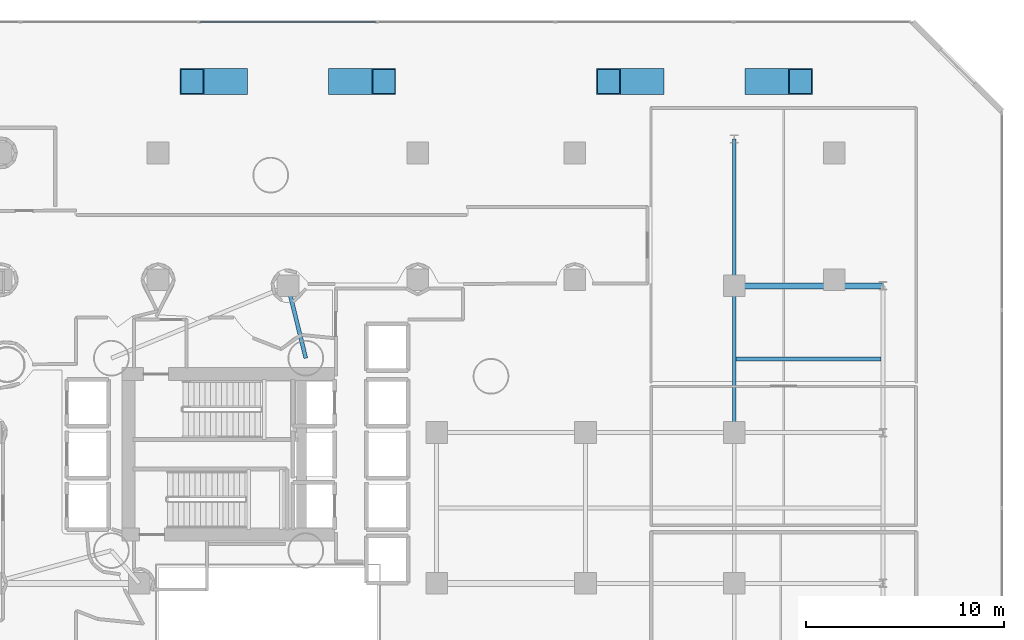
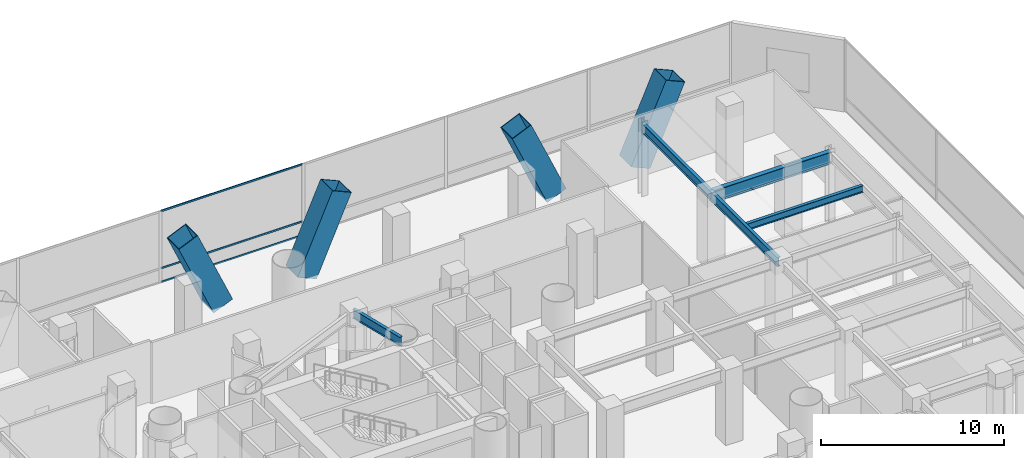
# One storey, part 22 of 42: 7 members, 5 beams, 1 element without a shape of its own.
"""IFC4 building model written with IfcOpenShell, lengths in metres."""

from ifc_helpers import new_model, si_unit, direction, frame, origin, origin_2d, place, context, subcontext, project, spatial, hollow_rectangle, i_section, extrude, material, layer, layer_set, material_profile, profile_set, type_object, element, aggregate, save


model = new_model("IFC4")

# Units and contexts
model_context = context("Model", 3, precision=1e-05, world=origin(), true_north=direction((0.0, 1.0)))
body_context = subcontext(model_context, "Body", "Model", "MODEL_VIEW")
ifc_project = project(units=[si_unit("LENGTHUNIT", "METRE"), si_unit("AREAUNIT", "SQUARE_METRE"), si_unit("VOLUMEUNIT", "CUBIC_METRE"), si_unit("PLANEANGLEUNIT", "RADIAN"), si_unit("MASSUNIT", "GRAM", prefix="KILO")], contexts=[model_context])

# Site, building, storey
site_placement = place(None, origin())
site = spatial("IfcSite", under=ifc_project, at=site_placement, CompositionType="ELEMENT")
building_placement = place(site_placement, origin())
building = spatial("IfcBuilding", under=site, at=building_placement, Name="Qianvela Tower", CompositionType="ELEMENT")
storey_placement = place(building_placement, frame((0.0, 0.0, 6.0)))
storey = spatial("IfcBuildingStorey", under=building, at=storey_placement, Name="L01", CompositionType="ELEMENT", Elevation=6.0)

# Beams
ifc_material_1 = material(Name="Steel Q355B", Category="steel")
ifc_material_profile_1 = material_profile(ifc_material_1, i_section(OverallWidth=0.199951171875, OverallDepth=0.449951171875, WebThickness=0.009033203125, FlangeThickness=0.013916015625, at=origin_2d()), Name="HN450x200x9x14")
ifc_profile_set_1 = profile_set([ifc_material_profile_1], Name="Steel Q355B")
beam_type_1 = type_object("IfcBeamType", Name="BM-HN450-JOIST", PredefinedType="JOIST", material=ifc_profile_set_1)
beam_1_placement = place(storey_placement, frame((60.095947265625, 33.5, 4.552978515625), z_axis=(1.0, 0.0, 0.0), x_axis=(0.0, 1.0, 0.0)))
element("IfcBeam", 1, at=beam_1_placement, inside=storey, type_object=beam_type_1, Name="L01 Secondary Floor Joist 50", PredefinedType="JOIST", context=body_context, shape_type="SweptSolid", body=[
    extrude(i_section(OverallWidth=0.199951171875, OverallDepth=0.449951171875, WebThickness=0.009033203125, FlangeThickness=0.013916015625, at=origin_2d()), origin(), (0.0, 0.0, 1.0), 7.30810546875),
])
ifc_material_2 = material(Name="Steel Q355B", Category="steel")
ifc_material_profile_2 = material_profile(ifc_material_2, i_section(OverallWidth=0.199951171875, OverallDepth=0.60009765625, WebThickness=0.010986328125, FlangeThickness=0.01708984375, at=origin_2d()), Name="HN600x200x11x17")
ifc_profile_set_2 = profile_set([ifc_material_profile_2], Name="Steel Q355B")
beam_type_2 = type_object("IfcBeamType", Name="BM-HN600-GIRD", PredefinedType="BEAM", material=ifc_profile_set_2)
beam_2_placement = place(storey_placement, frame((60.0, 29.800048828125, 4.47802734375), z_axis=(0.0, 1.0, 0.0), x_axis=(-1.0, 0.0, 0.0)))
element("IfcBeam", 2, at=beam_2_placement, inside=storey, type_object=beam_type_2, Name="L01 North-South Grid Girder 30", PredefinedType="BEAM", context=body_context, shape_type="SweptSolid", body=[
    extrude(i_section(OverallWidth=0.199951171875, OverallDepth=0.60009765625, WebThickness=0.010986328125, FlangeThickness=0.01708984375, at=origin_2d()), origin(), (0.0, 0.0, 1.0), 7.39990234375),
])
beam_3_placement = place(storey_placement, frame((60.0, 37.199951171875, 4.47802734375), z_axis=(0.0, 1.0, 0.0), x_axis=(-1.0, 0.0, 0.0)))
element("IfcBeam", 3, at=beam_3_placement, inside=storey, type_object=beam_type_2, Name="L01 North-South Grid Girder 31", PredefinedType="BEAM", context=body_context, shape_type="SweptSolid", body=[
    extrude(i_section(OverallWidth=0.199951171875, OverallDepth=0.60009765625, WebThickness=0.010986328125, FlangeThickness=0.01708984375, at=origin_2d()), origin(), (0.0, 0.0, 1.0), 7.400146484375),
])
beam_4_placement = place(storey_placement, frame((38.39990234375, 33.550048828125, 4.47802734375), z_axis=(-0.239386436846, 0.970924370821, 0.0), x_axis=(-0.970924370821, -0.239386436846, 0.0)))
element("IfcBeam", 4, at=beam_4_placement, inside=storey, type_object=beam_type_2, Name="L01 Core Tie Girder 39", PredefinedType="BEAM", context=body_context, shape_type="SweptSolid", body=[
    extrude(i_section(OverallWidth=0.199951171875, OverallDepth=0.60009765625, WebThickness=0.010986328125, FlangeThickness=0.01708984375, at=origin_2d()), origin(), (0.0, 0.0, 1.0), 3.75927734375),
])
ifc_material_3 = material(Name="Steel Q355B", Category="steel")
ifc_material_profile_3 = material_profile(ifc_material_3, i_section(OverallWidth=0.300048828125, OverallDepth=0.800048828125, WebThickness=0.013916015625, FlangeThickness=0.02587890625, at=origin_2d()), Name="HN800x300x14x26")
ifc_profile_set_3 = profile_set([ifc_material_profile_3], Name="Steel Q355B")
beam_type_3 = type_object("IfcBeamType", Name="BM-HN800-SPAND", PredefinedType="SPANDREL", material=ifc_profile_set_3)
beam_5_placement = place(storey_placement, frame((60.0, 37.199951171875, 4.3779296875), z_axis=(1.0, 0.0, 0.0), x_axis=(0.0, 1.0, 0.0)))
element("IfcBeam", 5, at=beam_5_placement, inside=storey, type_object=beam_type_3, Name="L01 East-West Grid Girder 15", PredefinedType="SPANDREL", context=body_context, shape_type="SweptSolid", body=[
    extrude(i_section(OverallWidth=0.300048828125, OverallDepth=0.800048828125, WebThickness=0.013916015625, FlangeThickness=0.02587890625, at=origin_2d()), origin(), (0.0, 0.0, 1.0), 7.5),
])

# Curtain wall, members
ifc_material_4 = material(Name="Anodised Architectural Aluminium and Low-E Glass", Category="aluminium")
ifc_layer = layer(ifc_material_4, 0.179931640625)
ifc_layer_set = layer_set([ifc_layer], Name="Anodised Architectural Aluminium and Low-E Glass")
curtain_wall_type = type_object("IfcCurtainWallType", Name="CW-COMMONS", PredefinedType="USERDEFINED", material=ifc_layer_set)
curtain_wall_placement = place(storey_placement, origin())
curtain_wall = element("IfcCurtainWall", 6, at=curtain_wall_placement, inside=storey, type_object=curtain_wall_type, Name="L01 CW-COMMONS Curtain Wall 05", ObjectType="CURTAIN_WALL_SYSTEM", PredefinedType="USERDEFINED")
ifc_material_5 = material(Name="Anodised Architectural Aluminium 6063-T6", Category="aluminium")
ifc_material_profile_4 = material_profile(ifc_material_5, hollow_rectangle(XDim=0.06005859375, YDim=0.114990234375, WallThickness=0.00390625, at=origin_2d()), Name="ALU-TRAN-60x115")
ifc_profile_set_4 = profile_set([ifc_material_profile_4], Name="Anodised Architectural Aluminium 6063-T6")
member_type_1 = type_object("IfcMemberType", Name="CW-COMMONS-TRAN", PredefinedType="USERDEFINED", material=ifc_profile_set_4)
member_1_placement = place(storey_placement, frame((41.957763671875, 50.5, 0.030029296875), z_axis=(-1.0, 0.0, 0.0), x_axis=(0.0, -1.0, 0.0)))
member_1 = element("IfcMember", 7, at=member_1_placement, type_object=member_type_1, Name="CW-2 transom 4.1", ObjectType="TRANSOM", PredefinedType="USERDEFINED", context=body_context, shape_type="SweptSolid", body=[
    extrude(hollow_rectangle(XDim=0.06005859375, YDim=0.114990234375, WallThickness=0.00390625, at=origin_2d()), origin(), (0.0, 0.0, 1.0), 8.91552734375),
])
member_2_placement = place(storey_placement, frame((41.957763671875, 50.5, 0.949951171875), z_axis=(-1.0, 0.0, 0.0), x_axis=(0.0, -1.0, 0.0)))
member_2 = element("IfcMember", 8, at=member_2_placement, type_object=member_type_1, Name="CW-2 transom 4.2", ObjectType="TRANSOM", PredefinedType="USERDEFINED", context=body_context, shape_type="SweptSolid", body=[
    extrude(hollow_rectangle(XDim=0.06005859375, YDim=0.114990234375, WallThickness=0.00390625, at=origin_2d()), origin(), (0.0, 0.0, 1.0), 8.91552734375),
])
member_3_placement = place(storey_placement, frame((41.957763671875, 50.5, 4.75), z_axis=(-1.0, 0.0, 0.0), x_axis=(0.0, -1.0, 0.0)))
member_3 = element("IfcMember", 9, at=member_3_placement, type_object=member_type_1, Name="CW-2 transom 4.3", ObjectType="TRANSOM", PredefinedType="USERDEFINED", context=body_context, shape_type="SweptSolid", body=[
    extrude(hollow_rectangle(XDim=0.06005859375, YDim=0.114990234375, WallThickness=0.00390625, at=origin_2d()), origin(), (0.0, 0.0, 1.0), 8.91552734375),
])
aggregate(curtain_wall, [member_1, member_2, member_3])

# Members
ifc_material_6 = material(Name="Steel Q420GJC", Category="steel")
ifc_material_profile_5 = material_profile(ifc_material_6, hollow_rectangle(XDim=1.300048828125, YDim=1.300048828125, WallThickness=0.044921875, at=origin_2d()), Name="VBOX-1300x1300x45")
ifc_profile_set_5 = profile_set([ifc_material_profile_5], Name="Steel Q420GJC")
member_type_2 = type_object("IfcMemberType", Name="MBR-VCOL-1300", PredefinedType="POST", material=ifc_profile_set_5)
for number, where, z_axis, x_axis, name in (
    (10, (34.860595703125, 47.5, 0.0), (-0.402618783225, 0.0, 0.915367748719), (0.0, -1.0, 0.0), "L01 Concourse Inclined V-Column VC-N2 Leg L"),
    (11, (40.139404296875, 47.5, 0.0), (0.402618783225, 0.0, 0.915367748719), (0.0, 1.0, 0.0), "L01 Concourse Inclined V-Column VC-N2 Leg R"),
    (12, (55.860595703125, 47.5, 0.0), (-0.402618783225, 0.0, 0.915367748719), (0.0, -1.0, 0.0), "L01 Concourse Inclined V-Column VC-N3 Leg L"),
    (13, (61.139404296875, 47.5, 0.0), (0.402618783225, 0.0, 0.915367748719), (0.0, 1.0, 0.0), "L01 Concourse Inclined V-Column VC-N3 Leg R"),
):
    element("IfcMember", number, at=place(storey_placement, frame(where, z_axis=z_axis, x_axis=x_axis)), inside=storey, type_object=member_type_2, Name=name, PredefinedType="POST", context=body_context, shape_type="SweptSolid", body=[
        extrude(hollow_rectangle(XDim=1.300048828125, YDim=1.300048828125, WallThickness=0.044921875, at=origin_2d()), origin(), (0.0, 0.0, 1.0), 5.46240234375),
    ])

save(model, "model.ifc")
